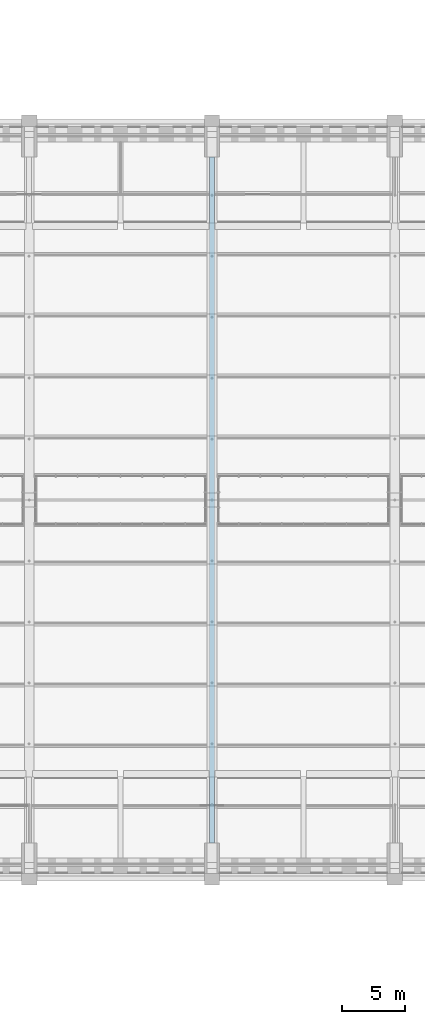
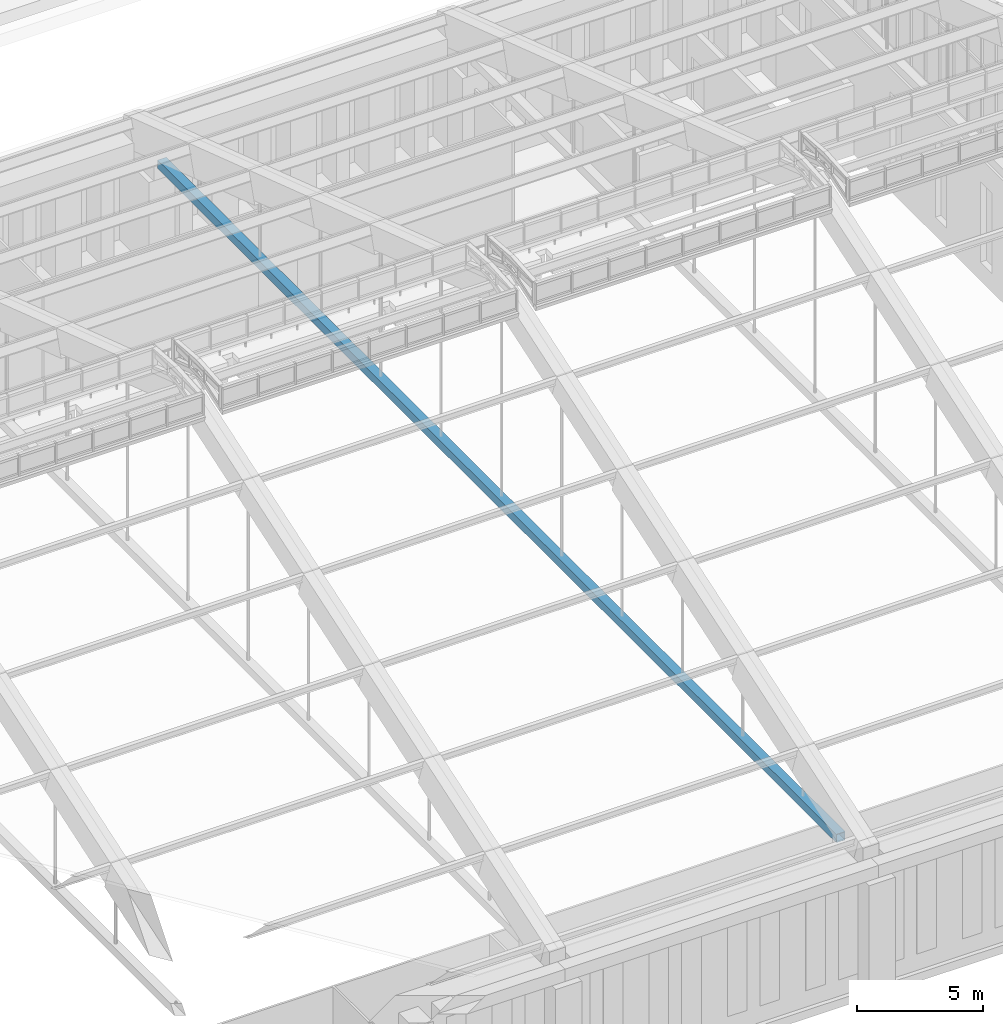
# One storey, part 72 of 149: 1 member.
"""IFC4 building model written with IfcOpenShell, lengths in metres."""

from ifc_helpers import new_model, si_unit, direction, frame, origin, origin_2d, place, context, subcontext, project, spatial, hollow_rectangle, extrude, material, material_profile, profile_set, type_object, element, save


model = new_model("IFC4")

# Units and contexts
model_context = context("Model", 3, precision=1e-05, world=origin(), true_north=direction((0.0, 1.0)))
body_context = subcontext(model_context, "Body", "Model", "MODEL_VIEW")
ifc_project = project(units=[si_unit("LENGTHUNIT", "METRE"), si_unit("AREAUNIT", "SQUARE_METRE"), si_unit("VOLUMEUNIT", "CUBIC_METRE"), si_unit("PLANEANGLEUNIT", "RADIAN"), si_unit("MASSUNIT", "GRAM", prefix="KILO")], contexts=[model_context])

# Site, building, storey
site_placement = place(None, origin())
site = spatial("IfcSite", under=ifc_project, at=site_placement, CompositionType="ELEMENT")
building_placement = place(site_placement, origin())
building = spatial("IfcBuilding", under=site, at=building_placement, Name="Alderwick Market Hall", CompositionType="ELEMENT")
storey_placement = place(building_placement, frame((0.0, 0.0, 9.60009765625)))
storey = spatial("IfcBuildingStorey", under=building, at=storey_placement, Name="L01", CompositionType="ELEMENT", Elevation=9.60009765625)

# Member
ifc_material = material(Name="Steel ASTM A500 Grade C", Category="steel")
ifc_material_profile = material_profile(ifc_material, hollow_rectangle(XDim=0.406494140625, YDim=0.406494140625, WallThickness=0.0146484375, at=origin_2d()), Name="HSS16x16x5/8")
ifc_profile_set = profile_set([ifc_material_profile], Name="Steel ASTM A500 Grade C")
member_type = type_object("IfcMemberType", Name="R Tie HSS16x16x5/8", PredefinedType="USERDEFINED", material=ifc_profile_set)
member_placement = place(storey_placement, frame((122.39990234375, 52.199951171875, 6.14990234375), z_axis=(0.0, 1.0, 0.0), x_axis=(-1.0, 0.0, 0.0)))
element("IfcMember", 1, at=member_placement, inside=storey, type_object=member_type, Name="Arch tie 6", ObjectType="TIE", PredefinedType="USERDEFINED", context=body_context, shape_type="SweptSolid", body=[
    extrude(hollow_rectangle(XDim=0.406494140625, YDim=0.406494140625, WallThickness=0.0146484375, at=origin_2d()), origin(), (0.0, 0.0, 1.0), 54.0),
])

save(model, "model.ifc")
